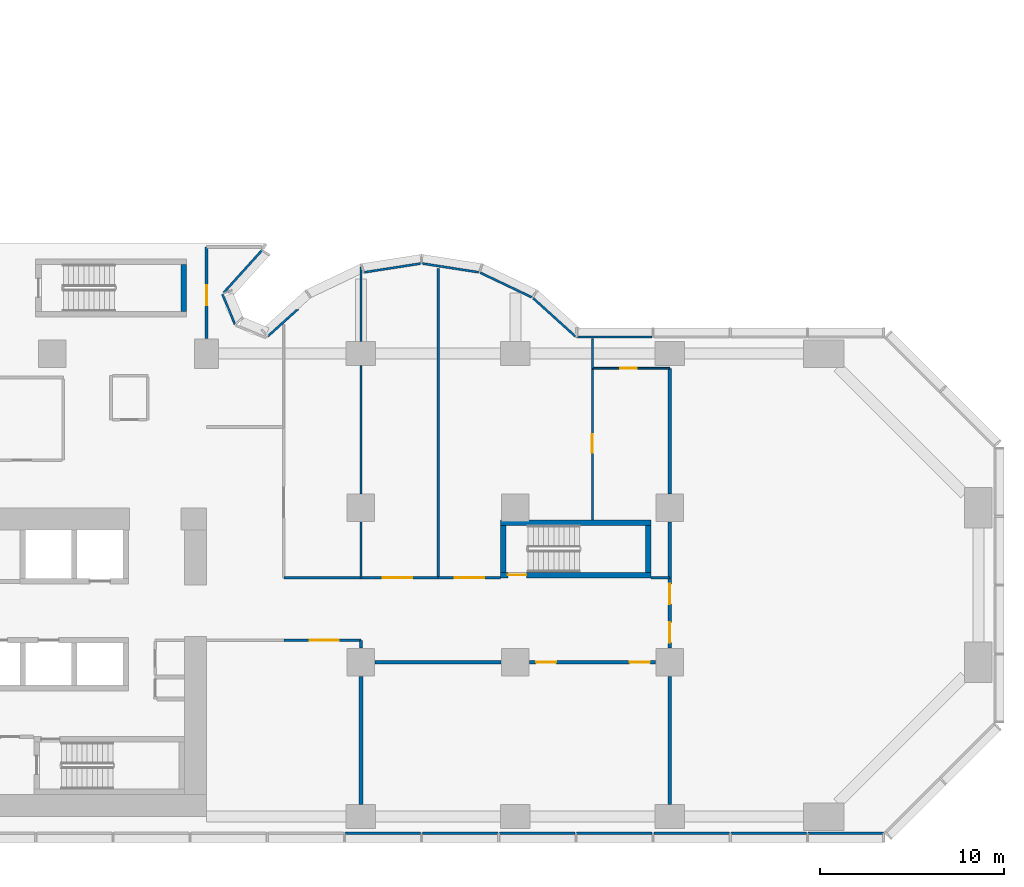
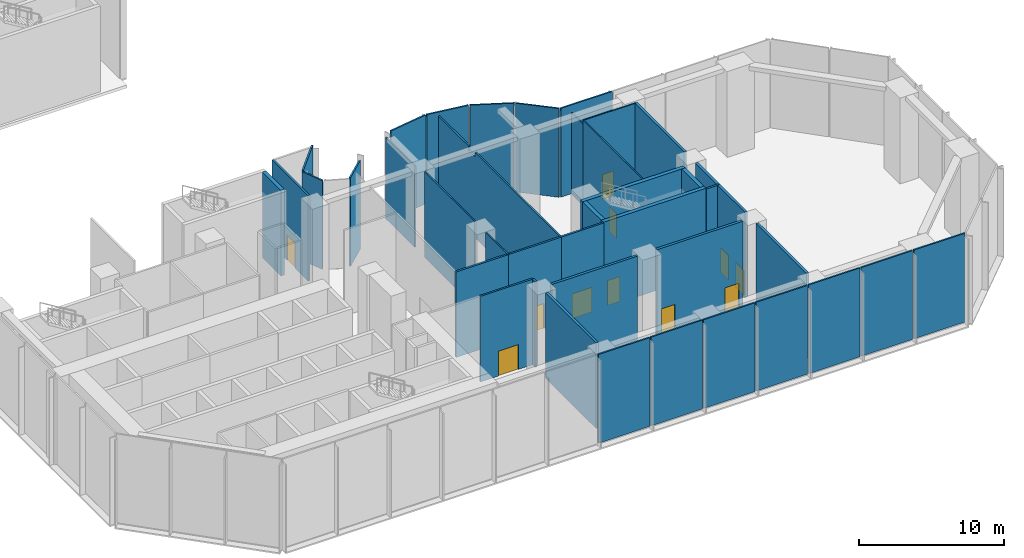
# One storey, part 9 of 16: 41 walls, 11 doors, 11 openings.
"""IFC4 building model written with IfcOpenShell, lengths in metres."""

from ifc_helpers import new_model, si_unit, direction, frame, frame_2d, origin, place, context, subcontext, project, spatial, polyline, rectangle, outline, extrude, material, layer, layer_set, type_object, element, fill, save


model = new_model("IFC4")

# Units and contexts
model_context = context("Model", 3, precision=1e-05, world=origin(), true_north=direction((0.0, 1.0)))
body_context = subcontext(model_context, "Body", "Model", "MODEL_VIEW")
ifc_project = project(units=[si_unit("LENGTHUNIT", "METRE"), si_unit("AREAUNIT", "SQUARE_METRE"), si_unit("VOLUMEUNIT", "CUBIC_METRE"), si_unit("PLANEANGLEUNIT", "RADIAN"), si_unit("MASSUNIT", "GRAM", prefix="KILO")], contexts=[model_context])

# Site, building, storey
site_placement = place(None, origin())
site = spatial("IfcSite", under=ifc_project, at=site_placement, CompositionType="ELEMENT")
building_placement = place(site_placement, origin())
building = spatial("IfcBuilding", under=site, at=building_placement, Name="Brevane Broadcast Tower", CompositionType="ELEMENT")
storey_placement = place(building_placement, frame((0.0, 0.0, 12.5)))
storey = spatial("IfcBuildingStorey", under=building, at=storey_placement, Name="L02", CompositionType="ELEMENT", Elevation=12.5)

# Wall
ifc_material_1 = material(Name="Concrete C80/95", Category="concrete")
ifc_layer_1 = layer(ifc_material_1, 0.300048828125)
ifc_layer_set_1 = layer_set([ifc_layer_1], Name="Core wall 300 mm C80/95")
wall_type_1 = type_object("IfcWallType", Name="Core wall 300 mm C80/95", PredefinedType="SHEAR", material=ifc_layer_set_1)
wall_1_placement = place(storey_placement, frame((23.949951171875, 27.5, 0.0), z_axis=(0.0, 0.0, 1.0), x_axis=(0.0, 1.0, 0.0)))
element("IfcWall", 1, at=wall_1_placement, inside=storey, type_object=wall_type_1, Name="L02 stair wall ST-3-E", PredefinedType="SHEAR", context=body_context, shape_type="SweptSolid", body=[
    extrude(rectangle(XDim=2.550048828125, YDim=0.300048828125, at=frame_2d((1.27490234375, 0.0))), origin(), (0.0, 0.0, 1.0), 7.25),
])

# Wall, opening, door
wall_2_placement = place(storey_placement, frame((49.39990234375, 13.14990234375, 0.0), z_axis=(0.0, 0.0, 1.0), x_axis=(-1.0, 0.0, 0.0)))
wall_2 = element("IfcWall", 2, at=wall_2_placement, inside=storey, type_object=wall_type_1, Name="L02 stair wall ST-4-S", PredefinedType="SHEAR", context=body_context, shape_type="SweptSolid", body=[
    extrude(rectangle(XDim=8.199951171875, YDim=0.300048828125, at=frame_2d((4.10009765625, 0.0))), origin(), (0.0, 0.0, 1.0), 7.25),
])
opening_1_placement = place(wall_2_placement, frame((6.800048828125, 0.0, 0.0)))
opening_1 = element("IfcOpeningElement", 3, at=opening_1_placement, cuts=wall_2, Name="Opening L02-K16", PredefinedType="OPENING", context=body_context, shape_type="SweptSolid", body=[
    extrude(rectangle(XDim=1.0, YDim=2.10009765625, at=frame_2d((0.5, 1.050048828125))), frame((0.0, 0.159912109375, 0.0), z_axis=(0.0, -1.0, 0.0), x_axis=(1.0, 0.0, 0.0)), (0.0, 0.0, 1.0), 0.320068359375),
])
ifc_material_2 = material(Name="Steel", Category="steel")
door_type_1 = type_object("IfcDoorType", Name="Stair door 1000 x 2100", OperationType="SINGLE_SWING_LEFT", PredefinedType="DOOR", material=ifc_material_2)
door_1_placement = place(opening_1_placement, origin())
door_1 = element("IfcDoor", 4, at=door_1_placement, inside=storey, type_object=door_type_1, Name="Door L02-K16", OperationType="SINGLE_SWING_RIGHT", OverallHeight=2.10009765625, OverallWidth=1.0, PredefinedType="DOOR", context=body_context, shape_type="SweptSolid", body=[
    extrude(rectangle(XDim=1.0, YDim=2.10009765625, at=frame_2d((0.5, 1.050048828125))), frame((0.0, 0.02490234375, 0.0), z_axis=(0.0, -1.0, 0.0), x_axis=(1.0, 0.0, 0.0)), (0.0, 0.0, 1.0), 0.050048828125),
])
fill(opening_1, door_1)

# Walls
wall_3_placement = place(storey_placement, frame((41.199951171875, 16.0, 0.0), z_axis=(0.0, 0.0, 1.0), x_axis=(1.0, 0.0, 0.0)))
element("IfcWall", 5, at=wall_3_placement, inside=storey, type_object=wall_type_1, Name="L02 stair wall ST-4-N", PredefinedType="SHEAR", context=body_context, shape_type="SweptSolid", body=[
    extrude(rectangle(XDim=8.199951171875, YDim=0.300048828125, at=frame_2d((4.10009765625, 0.0))), origin(), (0.0, 0.0, 1.0), 7.25),
])
for number, where, z_axis, x_axis, name in (
    (6, (41.35009765625, 13.300048828125, 0.0), (0.0, 0.0, 1.0), (0.0, 1.0, 0.0), "L02 stair wall ST-4-W"),
    (7, (49.25, 13.300048828125, 0.0), (0.0, 0.0, 1.0), (0.0, 1.0, 0.0), "L02 stair wall ST-4-E"),
):
    element("IfcWall", number, at=place(storey_placement, frame(where, z_axis=z_axis, x_axis=x_axis)), inside=storey, type_object=wall_type_1, Name=name, PredefinedType="SHEAR", context=body_context, shape_type="SweptSolid", body=[
        extrude(rectangle(XDim=2.550048828125, YDim=0.300048828125, at=frame_2d((1.27490234375, 0.0))), origin(), (0.0, 0.0, 1.0), 7.25),
    ])
ifc_material_3 = material(Name="Gypsum board partition")
ifc_layer_2 = layer(ifc_material_3, 0.10009765625)
ifc_layer_set_2 = layer_set([ifc_layer_2], Name="PARTITION 100 STUD")
wall_type_2 = type_object("IfcWallType", Name="PARTITION 100 STUD", PredefinedType="PARTITIONING", material=ifc_layer_set_2)
wall_4_placement = place(storey_placement, frame((33.60009765625, 29.903564453125, 0.0), z_axis=(0.0, 0.0, 1.0), x_axis=(0.0, -1.0, 0.0)))
element("IfcWall", 8, at=wall_4_placement, inside=storey, type_object=wall_type_2, Name="Partition P2-021", PredefinedType="PARTITIONING", context=body_context, shape_type="SweptSolid", body=[
    extrude(rectangle(XDim=4.033447265625, YDim=0.10009765625, at=frame_2d((2.0166015625, 0.0))), origin(), (0.0, 0.0, 1.0), 6.8798828125),
])
wall_5_placement = place(storey_placement, frame((33.60009765625, 24.530029296875, 0.0), z_axis=(0.0, 0.0, 1.0), x_axis=(0.0, -1.0, 0.0)))
element("IfcWall", 9, at=wall_5_placement, inside=storey, type_object=wall_type_2, Name="Partition P2-022", PredefinedType="PARTITIONING", context=body_context, shape_type="SweptSolid", body=[
    extrude(rectangle(XDim=6.9599609375, YDim=0.10009765625, at=frame_2d((3.47998046875, 0.0))), origin(), (0.0, 0.0, 1.0), 7.22998046875),
])
wall_6_placement = place(storey_placement, frame((33.60009765625, 16.030029296875, 0.0), z_axis=(0.0, 0.0, 1.0), x_axis=(0.0, -1.0, 0.0)))
element("IfcWall", 10, at=wall_6_placement, inside=storey, type_object=wall_type_2, Name="Partition P2-023", PredefinedType="PARTITIONING", context=body_context, shape_type="SweptSolid", body=[
    extrude(rectangle(XDim=3.030029296875, YDim=0.10009765625, at=frame_2d((1.51513671875, 0.0))), origin(), (0.0, 0.0, 1.0), 7.22998046875),
])

# Wall, opening, door
wall_7_placement = place(storey_placement, frame((46.199951171875, 24.39990234375, 0.0), z_axis=(0.0, 0.0, 1.0), x_axis=(0.0, -1.0, 0.0)))
wall_7 = element("IfcWall", 11, at=wall_7_placement, inside=storey, type_object=wall_type_2, Name="Partition P2-025", PredefinedType="PARTITIONING", context=body_context, shape_type="SweptSolid", body=[
    extrude(rectangle(XDim=8.25, YDim=0.10009765625, at=frame_2d((4.125, 0.0))), origin(), (0.0, 0.0, 1.0), 7.22998046875),
])
opening_2_placement = place(wall_7_placement, frame((3.60009765625, 0.0, 0.0)))
opening_2 = element("IfcOpeningElement", 12, at=opening_2_placement, cuts=wall_7, Name="Opening D03-008", PredefinedType="OPENING", context=body_context, shape_type="SweptSolid", body=[
    extrude(rectangle(XDim=1.0, YDim=2.10009765625, at=frame_2d((0.5, 1.050048828125))), frame((0.0, 0.06005859375, 0.0), z_axis=(0.0, -1.0, 0.0), x_axis=(1.0, 0.0, 0.0)), (0.0, 0.0, 1.0), 0.1201171875),
])
ifc_material_4 = material(Name="Timber door leaf", Category="wood")
door_type_2 = type_object("IfcDoorType", Name="DOOR SINGLE 1000 INTERNAL", OperationType="SINGLE_SWING_LEFT", PredefinedType="DOOR", material=ifc_material_4)
door_2_placement = place(opening_2_placement, origin())
door_2 = element("IfcDoor", 13, at=door_2_placement, inside=storey, type_object=door_type_2, Name="Door D03-008", OperationType="SINGLE_SWING_LEFT", OverallHeight=2.10009765625, OverallWidth=1.0, PredefinedType="DOOR", context=body_context, shape_type="SweptSolid", body=[
    extrude(rectangle(XDim=1.0, YDim=2.10009765625, at=frame_2d((0.5, 1.050048828125))), frame((0.0, 0.02490234375, 0.0), z_axis=(0.0, -1.0, 0.0), x_axis=(1.0, 0.0, 0.0)), (0.0, 0.0, 1.0), 0.050048828125),
])
fill(opening_2, door_2)

# Wall
wall_8_placement = place(storey_placement, frame((46.199951171875, 25.998046875, 0.0), z_axis=(0.0, 0.0, 1.0), x_axis=(0.0, -1.0, 0.0)))
element("IfcWall", 14, at=wall_8_placement, inside=storey, type_object=wall_type_2, Name="Partition P2-026", PredefinedType="PARTITIONING", context=body_context, shape_type="SweptSolid", body=[
    extrude(rectangle(XDim=1.59814453125, YDim=0.10009765625, at=frame_2d((0.799072265625, 0.0))), origin(), (0.0, 0.0, 1.0), 6.8798828125),
])

# Wall, opening, door
wall_9_placement = place(storey_placement, frame((46.199951171875, 24.39990234375, 0.0), z_axis=(0.0, 0.0, 1.0), x_axis=(1.0, 0.0, 0.0)))
wall_9 = element("IfcWall", 15, at=wall_9_placement, inside=storey, type_object=wall_type_2, Name="Partition P2-027", PredefinedType="PARTITIONING", context=body_context, shape_type="SweptSolid", body=[
    extrude(rectangle(XDim=4.199951171875, YDim=0.10009765625, at=frame_2d((2.10009765625, 0.0))), origin(), (0.0, 0.0, 1.0), 7.22998046875),
])
opening_3_placement = place(wall_9_placement, frame((1.5, 0.0, 0.0)))
opening_3 = element("IfcOpeningElement", 16, at=opening_3_placement, cuts=wall_9, Name="Opening D03-009", PredefinedType="OPENING", context=body_context, shape_type="SweptSolid", body=[
    extrude(rectangle(XDim=0.89990234375, YDim=2.10009765625, at=frame_2d((0.449951171875, 1.050048828125))), frame((0.0, 0.06005859375, 0.0), z_axis=(0.0, -1.0, 0.0), x_axis=(1.0, 0.0, 0.0)), (0.0, 0.0, 1.0), 0.1201171875),
])
door_type_3 = type_object("IfcDoorType", Name="DOOR SINGLE 900 INTERNAL", OperationType="SINGLE_SWING_LEFT", PredefinedType="DOOR", material=ifc_material_4)
door_3_placement = place(opening_3_placement, origin())
door_3 = element("IfcDoor", 17, at=door_3_placement, inside=storey, type_object=door_type_3, Name="Door D03-009", OperationType="SINGLE_SWING_LEFT", OverallHeight=2.10009765625, OverallWidth=0.89990234375, PredefinedType="DOOR", context=body_context, shape_type="SweptSolid", body=[
    extrude(rectangle(XDim=0.89990234375, YDim=2.10009765625, at=frame_2d((0.449951171875, 1.050048828125))), frame((0.0, 0.02490234375, 0.0), z_axis=(0.0, -1.0, 0.0), x_axis=(1.0, 0.0, 0.0)), (0.0, 0.0, 1.0), 0.050048828125),
])
fill(opening_3, door_3)

# Wall
ifc_layer_3 = layer(ifc_material_3, 0.125)
ifc_layer_set_3 = layer_set([ifc_layer_3], Name="PARTITION 125 ACOUSTIC")
wall_type_3 = type_object("IfcWallType", Name="PARTITION 125 ACOUSTIC", PredefinedType="PARTITIONING", material=ifc_layer_set_3)
wall_10_placement = place(storey_placement, frame((37.800048828125, 29.84423828125, 0.0), z_axis=(0.0, 0.0, 1.0), x_axis=(0.0, -1.0, 0.0)))
element("IfcWall", 18, at=wall_10_placement, inside=storey, type_object=wall_type_3, Name="Partition P2-024", PredefinedType="PARTITIONING", context=body_context, shape_type="SweptSolid", body=[
    extrude(outline(polyline([(0.0, 0.0), (16.84423828125, 0.0), (16.84423828125, 7.22998046875), (5.09423828125, 7.22998046875), (5.09228515625, 6.8798828125), (4.1962890625, 6.8798828125), (4.1943359375, 7.22998046875), (0.0, 7.22998046875), (0.0, 0.0)])), frame((0.0, 0.0625, 0.0), z_axis=(0.0, -1.0, 0.0), x_axis=(1.0, 0.0, 0.0)), (0.0, 0.0, 1.0), 0.125),
])

# Wall, opening, door
ifc_layer_4 = layer(ifc_material_3, 0.14990234375)
ifc_layer_set_4 = layer_set([ifc_layer_4], Name="PARTITION 150 EI 60")
wall_type_4 = type_object("IfcWallType", Name="PARTITION 150 EI 60", PredefinedType="PARTITIONING", material=ifc_layer_set_4)
wall_11_placement = place(storey_placement, frame((25.199951171875, 31.0, 0.0), z_axis=(0.0, 0.0, 1.0), x_axis=(0.0, -1.0, 0.0)))
wall_11 = element("IfcWall", 19, at=wall_11_placement, inside=storey, type_object=wall_type_4, Name="Partition P2-005", PredefinedType="PARTITIONING", context=body_context, shape_type="SweptSolid", body=[
    extrude(rectangle(XDim=4.97998046875, YDim=0.14990234375, at=frame_2d((2.489990234375, 0.0))), origin(), (0.0, 0.0, 1.0), 7.22998046875),
])
opening_4_placement = place(wall_11_placement, frame((2.080078125, 0.0, 0.0)))
opening_4 = element("IfcOpeningElement", 20, at=opening_4_placement, cuts=wall_11, Name="Opening D03-001", PredefinedType="OPENING", context=body_context, shape_type="SweptSolid", body=[
    extrude(rectangle(XDim=1.10009765625, YDim=2.10009765625, at=frame_2d((0.550048828125, 1.050048828125))), frame((0.0, 0.0849609375, 0.0), z_axis=(0.0, -1.0, 0.0), x_axis=(1.0, 0.0, 0.0)), (0.0, 0.0, 1.0), 0.169921875),
])
ifc_material_5 = material(Name="Fire-rated timber door leaf", Category="wood")
door_type_4 = type_object("IfcDoorType", Name="DOOR SINGLE 1100 FD30S", OperationType="SINGLE_SWING_LEFT", PredefinedType="DOOR", material=ifc_material_5)
door_4_placement = place(opening_4_placement, origin())
door_4 = element("IfcDoor", 21, at=door_4_placement, inside=storey, type_object=door_type_4, Name="Door D03-001", OperationType="SINGLE_SWING_RIGHT", OverallHeight=2.10009765625, OverallWidth=1.10009765625, PredefinedType="DOOR", context=body_context, shape_type="SweptSolid", body=[
    extrude(rectangle(XDim=1.10009765625, YDim=2.10009765625, at=frame_2d((0.550048828125, 1.050048828125))), frame((0.0, 0.02490234375, 0.0), z_axis=(0.0, -1.0, 0.0), x_axis=(1.0, 0.0, 0.0)), (0.0, 0.0, 1.0), 0.050048828125),
])
fill(opening_4, door_4)

wall_12_placement = place(storey_placement, frame((33.60009765625, 9.60009765625, 0.0), z_axis=(0.0, 0.0, 1.0), x_axis=(-1.0, 0.0, 0.0)))
wall_12 = element("IfcWall", 22, at=wall_12_placement, inside=storey, type_object=wall_type_4, Name="Partition P2-011", PredefinedType="PARTITIONING", context=body_context, shape_type="SweptSolid", body=[
    extrude(rectangle(XDim=4.2001953125, YDim=0.14990234375, at=frame_2d((2.10009765625, 0.0))), origin(), (0.0, 0.0, 1.0), 7.22998046875),
])
opening_5_placement = place(wall_12_placement, frame((1.199951171875, 0.0, 0.0)))
opening_5 = element("IfcOpeningElement", 23, at=opening_5_placement, cuts=wall_12, Name="Opening D03-004", PredefinedType="OPENING", context=body_context, shape_type="SweptSolid", body=[
    extrude(rectangle(XDim=1.60009765625, YDim=2.10009765625, at=frame_2d((0.800048828125, 1.050048828125))), frame((0.0, 0.0849609375, 0.0), z_axis=(0.0, -1.0, 0.0), x_axis=(1.0, 0.0, 0.0)), (0.0, 0.0, 1.0), 0.169921875),
])
door_type_5 = type_object("IfcDoorType", Name="DOOR DOUBLE 1600 FD30S", OperationType="DOUBLE_DOOR_SINGLE_SWING", PredefinedType="DOOR", material=ifc_material_5)
door_5_placement = place(opening_5_placement, origin())
door_5 = element("IfcDoor", 24, at=door_5_placement, inside=storey, type_object=door_type_5, Name="Door D03-004", OperationType="DOUBLE_DOOR_SINGLE_SWING", OverallHeight=2.10009765625, OverallWidth=1.60009765625, PredefinedType="DOOR", context=body_context, shape_type="SweptSolid", body=[
    extrude(rectangle(XDim=1.60009765625, YDim=2.10009765625, at=frame_2d((0.800048828125, 1.050048828125))), frame((0.0, 0.02490234375, 0.0), z_axis=(0.0, -1.0, 0.0), x_axis=(1.0, 0.0, 0.0)), (0.0, 0.0, 1.0), 0.050048828125),
])
fill(opening_5, door_5)

# Walls
wall_13_placement = place(storey_placement, frame((33.60009765625, 9.169921875, 0.0), z_axis=(0.0, 0.0, 1.0), x_axis=(0.0, 1.0, 0.0)))
element("IfcWall", 25, at=wall_13_placement, inside=storey, type_object=wall_type_4, Name="Partition P2-012", PredefinedType="PARTITIONING", context=body_context, shape_type="SweptSolid", body=[
    extrude(rectangle(XDim=0.41015625, YDim=0.14990234375, at=frame_2d((0.205078125, 0.0))), origin(), (0.0, 0.0, 1.0), 7.22998046875),
])
wall_14_placement = place(storey_placement, frame((29.39990234375, 13.0, 0.0), z_axis=(0.0, 0.0, 1.0), x_axis=(1.0, 0.0, 0.0)))
element("IfcWall", 26, at=wall_14_placement, inside=storey, type_object=wall_type_4, Name="Partition P2-013", PredefinedType="PARTITIONING", context=body_context, shape_type="SweptSolid", body=[
    extrude(rectangle(XDim=4.2001953125, YDim=0.14990234375, at=frame_2d((2.10009765625, 0.0))), origin(), (0.0, 0.0, 1.0), 7.22998046875),
])

# Wall, opening, door
wall_15_placement = place(storey_placement, frame((33.60009765625, 13.0, 0.0), z_axis=(0.0, 0.0, 1.0), x_axis=(1.0, 0.0, 0.0)))
wall_15 = element("IfcWall", 27, at=wall_15_placement, inside=storey, type_object=wall_type_4, Name="Partition P2-014", PredefinedType="PARTITIONING", context=body_context, shape_type="SweptSolid", body=[
    extrude(rectangle(XDim=4.199951171875, YDim=0.14990234375, at=frame_2d((2.10009765625, 0.0))), origin(), (0.0, 0.0, 1.0), 7.22998046875),
])
opening_6_placement = place(wall_15_placement, frame((1.199951171875, 0.0, 0.0)))
opening_6 = element("IfcOpeningElement", 28, at=opening_6_placement, cuts=wall_15, Name="Opening D03-006", PredefinedType="OPENING", context=body_context, shape_type="SweptSolid", body=[
    extrude(rectangle(XDim=1.60009765625, YDim=2.10009765625, at=frame_2d((0.800048828125, 1.050048828125))), frame((0.0, 0.0849609375, 0.0), z_axis=(0.0, -1.0, 0.0), x_axis=(1.0, 0.0, 0.0)), (0.0, 0.0, 1.0), 0.169921875),
])
door_6_placement = place(opening_6_placement, origin())
door_6 = element("IfcDoor", 29, at=door_6_placement, inside=storey, type_object=door_type_5, Name="Door D03-006", OperationType="DOUBLE_DOOR_SINGLE_SWING", OverallHeight=2.10009765625, OverallWidth=1.60009765625, PredefinedType="DOOR", context=body_context, shape_type="SweptSolid", body=[
    extrude(rectangle(XDim=1.60009765625, YDim=2.10009765625, at=frame_2d((0.800048828125, 1.050048828125))), frame((0.0, 0.02490234375, 0.0), z_axis=(0.0, -1.0, 0.0), x_axis=(1.0, 0.0, 0.0)), (0.0, 0.0, 1.0), 0.050048828125),
])
fill(opening_6, door_6)

wall_16_placement = place(storey_placement, frame((37.800048828125, 13.0, 0.0), z_axis=(0.0, 0.0, 1.0), x_axis=(1.0, 0.0, 0.0)))
wall_16 = element("IfcWall", 30, at=wall_16_placement, inside=storey, type_object=wall_type_4, Name="Partition P2-015", PredefinedType="PARTITIONING", context=body_context, shape_type="SweptSolid", body=[
    extrude(rectangle(XDim=3.39990234375, YDim=0.14990234375, at=frame_2d((1.699951171875, 0.0))), origin(), (0.0, 0.0, 1.0), 7.22998046875),
])
opening_7_placement = place(wall_16_placement, frame((0.89990234375, 0.0, 0.0)))
opening_7 = element("IfcOpeningElement", 31, at=opening_7_placement, cuts=wall_16, Name="Opening D03-007", PredefinedType="OPENING", context=body_context, shape_type="SweptSolid", body=[
    extrude(rectangle(XDim=1.60009765625, YDim=2.10009765625, at=frame_2d((0.800048828125, 1.050048828125))), frame((0.0, 0.0849609375, 0.0), z_axis=(0.0, -1.0, 0.0), x_axis=(1.0, 0.0, 0.0)), (0.0, 0.0, 1.0), 0.169921875),
])
door_7_placement = place(opening_7_placement, origin())
door_7 = element("IfcDoor", 32, at=door_7_placement, inside=storey, type_object=door_type_5, Name="Door D03-007", OperationType="DOUBLE_DOOR_SINGLE_SWING", OverallHeight=2.10009765625, OverallWidth=1.60009765625, PredefinedType="DOOR", context=body_context, shape_type="SweptSolid", body=[
    extrude(rectangle(XDim=1.60009765625, YDim=2.10009765625, at=frame_2d((0.800048828125, 1.050048828125))), frame((0.0, 0.02490234375, 0.0), z_axis=(0.0, -1.0, 0.0), x_axis=(1.0, 0.0, 0.0)), (0.0, 0.0, 1.0), 0.050048828125),
])
fill(opening_7, door_7)

# Wall
wall_17_placement = place(storey_placement, frame((49.39990234375, 13.0, 0.0), z_axis=(0.0, 0.0, 1.0), x_axis=(1.0, 0.0, 0.0)))
element("IfcWall", 33, at=wall_17_placement, inside=storey, type_object=wall_type_4, Name="Partition P2-016", PredefinedType="PARTITIONING", context=body_context, shape_type="SweptSolid", body=[
    extrude(rectangle(XDim=1.0, YDim=0.14990234375, at=frame_2d((0.5, 0.0))), origin(), (0.0, 0.0, 1.0), 7.22998046875),
])

# Wall, openings, doors
ifc_layer_5 = layer(ifc_material_3, 0.199951171875)
ifc_layer_set_5 = layer_set([ifc_layer_5], Name="PARTITION 200 EI 120")
wall_type_5 = type_object("IfcWallType", Name="PARTITION 200 EI 120", PredefinedType="PARTITIONING", material=ifc_layer_set_5)
wall_18_placement = place(storey_placement, frame((50.39990234375, 13.0, 0.0), z_axis=(0.0, 0.0, 1.0), x_axis=(0.0, -1.0, 0.0)))
wall_18 = element("IfcWall", 34, at=wall_18_placement, inside=storey, type_object=wall_type_5, Name="Partition P2-008", PredefinedType="PARTITIONING", context=body_context, shape_type="SweptSolid", body=[
    extrude(rectangle(XDim=3.830078125, YDim=0.199951171875, at=frame_2d((1.9150390625, 0.0))), origin(), (0.0, 0.0, 1.0), 7.22998046875),
])
opening_8_placement = place(wall_18_placement, frame((2.429931640625, 0.0, 0.0)))
opening_8 = element("IfcOpeningElement", 35, at=opening_8_placement, cuts=wall_18, Name="Opening D03-002", PredefinedType="OPENING", context=body_context, shape_type="SweptSolid", body=[
    extrude(rectangle(XDim=1.10009765625, YDim=2.10009765625, at=frame_2d((0.550048828125, 1.050048828125))), frame((0.0, 0.10986328125, 0.0), z_axis=(0.0, -1.0, 0.0), x_axis=(1.0, 0.0, 0.0)), (0.0, 0.0, 1.0), 0.219970703125),
])
opening_9_placement = place(wall_18_placement, frame((0.330078125, 0.0, 0.0)))
opening_9 = element("IfcOpeningElement", 36, at=opening_9_placement, cuts=wall_18, Name="Opening D03-017", PredefinedType="OPENING", context=body_context, shape_type="SweptSolid", body=[
    extrude(rectangle(XDim=1.10009765625, YDim=2.10009765625, at=frame_2d((0.550048828125, 1.050048828125))), frame((0.0, 0.10986328125, 0.0), z_axis=(0.0, -1.0, 0.0), x_axis=(1.0, 0.0, 0.0)), (0.0, 0.0, 1.0), 0.219970703125),
])
door_8_placement = place(opening_8_placement, origin())
door_8 = element("IfcDoor", 37, at=door_8_placement, inside=storey, type_object=door_type_4, Name="Door D03-002", OperationType="SINGLE_SWING_RIGHT", OverallHeight=2.10009765625, OverallWidth=1.10009765625, PredefinedType="DOOR", context=body_context, shape_type="SweptSolid", body=[
    extrude(rectangle(XDim=1.10009765625, YDim=2.10009765625, at=frame_2d((0.550048828125, 1.050048828125))), frame((0.0, 0.02490234375, 0.0), z_axis=(0.0, -1.0, 0.0), x_axis=(1.0, 0.0, 0.0)), (0.0, 0.0, 1.0), 0.050048828125),
])
fill(opening_8, door_8)
door_9_placement = place(opening_9_placement, origin())
door_9 = element("IfcDoor", 38, at=door_9_placement, inside=storey, type_object=door_type_4, Name="Door D03-017", OperationType="SINGLE_SWING_RIGHT", OverallHeight=2.10009765625, OverallWidth=1.10009765625, PredefinedType="DOOR", context=body_context, shape_type="SweptSolid", body=[
    extrude(rectangle(XDim=1.10009765625, YDim=2.10009765625, at=frame_2d((0.550048828125, 1.050048828125))), frame((0.0, 0.02490234375, 0.0), z_axis=(0.0, -1.0, 0.0), x_axis=(1.0, 0.0, 0.0)), (0.0, 0.0, 1.0), 0.050048828125),
])
fill(opening_9, door_9)

wall_19_placement = place(storey_placement, frame((49.6298828125, 8.39990234375, 0.0), z_axis=(0.0, 0.0, 1.0), x_axis=(-1.0, 0.0, 0.0)))
wall_19 = element("IfcWall", 39, at=wall_19_placement, inside=storey, type_object=wall_type_5, Name="Partition P2-009", PredefinedType="PARTITIONING", context=body_context, shape_type="SweptSolid", body=[
    extrude(rectangle(XDim=6.85986328125, YDim=0.199951171875, at=frame_2d((3.429931640625, 0.0))), origin(), (0.0, 0.0, 1.0), 7.22998046875),
])
opening_10_placement = place(wall_19_placement, frame((0.300048828125, 0.0, 0.0)))
opening_10 = element("IfcOpeningElement", 40, at=opening_10_placement, cuts=wall_19, Name="Opening D03-003", PredefinedType="OPENING", context=body_context, shape_type="SweptSolid", body=[
    extrude(rectangle(XDim=1.10009765625, YDim=2.10009765625, at=frame_2d((0.550048828125, 1.050048828125))), frame((0.0, 0.10986328125, 0.0), z_axis=(0.0, -1.0, 0.0), x_axis=(1.0, 0.0, 0.0)), (0.0, 0.0, 1.0), 0.219970703125),
])
opening_11_placement = place(wall_19_placement, frame((5.39990234375, 0.0, 0.0)))
opening_11 = element("IfcOpeningElement", 41, at=opening_11_placement, cuts=wall_19, Name="Opening D03-018", PredefinedType="OPENING", context=body_context, shape_type="SweptSolid", body=[
    extrude(rectangle(XDim=1.10009765625, YDim=2.10009765625, at=frame_2d((0.550048828125, 1.050048828125))), frame((0.0, 0.10986328125, 0.0), z_axis=(0.0, -1.0, 0.0), x_axis=(1.0, 0.0, 0.0)), (0.0, 0.0, 1.0), 0.219970703125),
])
door_10_placement = place(opening_10_placement, origin())
door_10 = element("IfcDoor", 42, at=door_10_placement, inside=storey, type_object=door_type_4, Name="Door D03-003", OperationType="SINGLE_SWING_LEFT", OverallHeight=2.10009765625, OverallWidth=1.10009765625, PredefinedType="DOOR", context=body_context, shape_type="SweptSolid", body=[
    extrude(rectangle(XDim=1.10009765625, YDim=2.10009765625, at=frame_2d((0.550048828125, 1.050048828125))), frame((0.0, 0.02490234375, 0.0), z_axis=(0.0, -1.0, 0.0), x_axis=(1.0, 0.0, 0.0)), (0.0, 0.0, 1.0), 0.050048828125),
])
fill(opening_10, door_10)
door_11_placement = place(opening_11_placement, origin())
door_11 = element("IfcDoor", 43, at=door_11_placement, inside=storey, type_object=door_type_4, Name="Door D03-018", OperationType="SINGLE_SWING_LEFT", OverallHeight=2.10009765625, OverallWidth=1.10009765625, PredefinedType="DOOR", context=body_context, shape_type="SweptSolid", body=[
    extrude(rectangle(XDim=1.10009765625, YDim=2.10009765625, at=frame_2d((0.550048828125, 1.050048828125))), frame((0.0, 0.02490234375, 0.0), z_axis=(0.0, -1.0, 0.0), x_axis=(1.0, 0.0, 0.0)), (0.0, 0.0, 1.0), 0.050048828125),
])
fill(opening_11, door_11)

# Walls
wall_20_placement = place(storey_placement, frame((41.22998046875, 8.39990234375, 0.0), z_axis=(0.0, 0.0, 1.0), x_axis=(-1.0, 0.0, 0.0)))
element("IfcWall", 44, at=wall_20_placement, inside=storey, type_object=wall_type_5, Name="Partition P2-010", PredefinedType="PARTITIONING", context=body_context, shape_type="SweptSolid", body=[
    extrude(rectangle(XDim=6.85986328125, YDim=0.199951171875, at=frame_2d((3.429931640625, 0.0))), origin(), (0.0, 0.0, 1.0), 7.22998046875),
])
wall_21_placement = place(storey_placement, frame((50.39990234375, 0.669921875, 0.0), z_axis=(0.0, 0.0, 1.0), x_axis=(0.0, 1.0, 0.0)))
element("IfcWall", 45, at=wall_21_placement, inside=storey, type_object=wall_type_5, Name="Partition P2-017", PredefinedType="PARTITIONING", context=body_context, shape_type="SweptSolid", body=[
    extrude(rectangle(XDim=6.9599609375, YDim=0.199951171875, at=frame_2d((3.47998046875, 0.0))), origin(), (0.0, 0.0, 1.0), 7.22998046875),
])
wall_22_placement = place(storey_placement, frame((50.39990234375, 13.0, 0.0), z_axis=(0.0, 0.0, 1.0), x_axis=(0.0, 1.0, 0.0)))
element("IfcWall", 46, at=wall_22_placement, inside=storey, type_object=wall_type_5, Name="Partition P2-018", PredefinedType="PARTITIONING", context=body_context, shape_type="SweptSolid", body=[
    extrude(rectangle(XDim=3.030029296875, YDim=0.199951171875, at=frame_2d((1.51513671875, 0.0))), origin(), (0.0, 0.0, 1.0), 7.22998046875),
])
wall_23_placement = place(storey_placement, frame((50.39990234375, 17.570068359375, 0.0), z_axis=(0.0, 0.0, 1.0), x_axis=(0.0, 1.0, 0.0)))
element("IfcWall", 47, at=wall_23_placement, inside=storey, type_object=wall_type_5, Name="Partition P2-019", PredefinedType="PARTITIONING", context=body_context, shape_type="SweptSolid", body=[
    extrude(rectangle(XDim=6.829833984375, YDim=0.199951171875, at=frame_2d((3.4150390625, 0.0))), origin(), (0.0, 0.0, 1.0), 7.22998046875),
])
wall_24_placement = place(storey_placement, frame((33.60009765625, 0.669921875, 0.0), z_axis=(0.0, 0.0, 1.0), x_axis=(0.0, 1.0, 0.0)))
element("IfcWall", 48, at=wall_24_placement, inside=storey, type_object=wall_type_5, Name="Partition P2-020", PredefinedType="PARTITIONING", context=body_context, shape_type="SweptSolid", body=[
    extrude(rectangle(XDim=6.9599609375, YDim=0.199951171875, at=frame_2d((3.47998046875, 0.0))), origin(), (0.0, 0.0, 1.0), 7.22998046875),
])
ifc_material_6 = material(Name="Precast concrete C40/50", Category="concrete")
ifc_layer_6 = layer(ifc_material_6, 0.1201171875)
ifc_layer_set_6 = layer_set([ifc_layer_6], Name="Podium precast cladding wall 120 C40/50")
wall_type_6 = type_object("IfcWallType", Name="Podium precast cladding wall 120 C40/50", PredefinedType="SOLIDWALL", material=ifc_layer_set_6)
wall_25_placement = place(storey_placement, origin())
element("IfcWall", 49, at=wall_25_placement, inside=storey, type_object=wall_type_6, Name="Podium precast cladding wall", PredefinedType="SOLIDWALL", context=body_context, shape_type="SweptSolid", body=[
    extrude(outline(polyline([(36.85498046875, -0.969970703125), (36.85498046875, -0.85009765625), (32.7451171875, -0.85009765625), (32.7451171875, -0.969970703125), (36.85498046875, -0.969970703125)])), origin(), (0.0, 0.0, 1.0), 7.5),
])
wall_26_placement = place(storey_placement, origin())
element("IfcWall", 50, at=wall_26_placement, inside=storey, type_object=wall_type_6, Name="Podium precast cladding wall", PredefinedType="SOLIDWALL", context=body_context, shape_type="SweptSolid", body=[
    extrude(outline(polyline([(41.054931640625, -0.969970703125), (41.054931640625, -0.85009765625), (36.945068359375, -0.85009765625), (36.945068359375, -0.969970703125), (41.054931640625, -0.969970703125)])), origin(), (0.0, 0.0, 1.0), 7.5),
])
wall_27_placement = place(storey_placement, origin())
element("IfcWall", 51, at=wall_27_placement, inside=storey, type_object=wall_type_6, Name="Podium precast cladding wall", PredefinedType="SOLIDWALL", context=body_context, shape_type="SweptSolid", body=[
    extrude(outline(polyline([(45.2548828125, -0.969970703125), (45.2548828125, -0.85009765625), (41.14501953125, -0.85009765625), (41.14501953125, -0.969970703125), (45.2548828125, -0.969970703125)])), origin(), (0.0, 0.0, 1.0), 7.5),
])
wall_28_placement = place(storey_placement, origin())
element("IfcWall", 52, at=wall_28_placement, inside=storey, type_object=wall_type_6, Name="Podium precast cladding wall", PredefinedType="SOLIDWALL", context=body_context, shape_type="SweptSolid", body=[
    extrude(outline(polyline([(49.455078125, -0.969970703125), (49.455078125, -0.85009765625), (45.344970703125, -0.85009765625), (45.344970703125, -0.969970703125), (49.455078125, -0.969970703125)])), origin(), (0.0, 0.0, 1.0), 7.5),
])
wall_29_placement = place(storey_placement, origin())
element("IfcWall", 53, at=wall_29_placement, inside=storey, type_object=wall_type_6, Name="Podium precast cladding wall", PredefinedType="SOLIDWALL", context=body_context, shape_type="SweptSolid", body=[
    extrude(outline(polyline([(53.655029296875, -0.969970703125), (53.655029296875, -0.85009765625), (49.544921875, -0.85009765625), (49.544921875, -0.969970703125), (53.655029296875, -0.969970703125)])), origin(), (0.0, 0.0, 1.0), 7.5),
])
wall_30_placement = place(storey_placement, origin())
element("IfcWall", 54, at=wall_30_placement, inside=storey, type_object=wall_type_6, Name="Podium precast cladding wall", PredefinedType="SOLIDWALL", context=body_context, shape_type="SweptSolid", body=[
    extrude(outline(polyline([(57.85498046875, -0.969970703125), (57.85498046875, -0.85009765625), (53.7451171875, -0.85009765625), (53.7451171875, -0.969970703125), (57.85498046875, -0.969970703125)])), origin(), (0.0, 0.0, 1.0), 7.5),
])
wall_31_placement = place(storey_placement, origin())
element("IfcWall", 55, at=wall_31_placement, inside=storey, type_object=wall_type_6, Name="Podium precast cladding wall", PredefinedType="SOLIDWALL", context=body_context, shape_type="SweptSolid", body=[
    extrude(outline(polyline([(62.054931640625, -0.969970703125), (62.054931640625, -0.85009765625), (57.945068359375, -0.85009765625), (57.945068359375, -0.969970703125), (62.054931640625, -0.969970703125)])), origin(), (0.0, 0.0, 1.0), 7.5),
])
wall_32_placement = place(storey_placement, origin())
element("IfcWall", 56, at=wall_32_placement, inside=storey, type_object=wall_type_6, Name="Podium precast cladding wall", PredefinedType="SOLIDWALL", context=body_context, shape_type="SweptSolid", body=[
    extrude(outline(polyline([(45.344970703125, 26.169921875), (45.344970703125, 26.050048828125), (49.455078125, 26.050048828125), (49.455078125, 26.169921875), (45.344970703125, 26.169921875)])), origin(), (0.0, 0.0, 1.0), 7.5),
])
wall_33_placement = place(storey_placement, origin())
element("IfcWall", 57, at=wall_33_placement, inside=storey, type_object=wall_type_6, Name="Podium precast cladding wall", PredefinedType="SOLIDWALL", context=body_context, shape_type="SweptSolid", body=[
    extrude(outline(polyline([(45.233154296875, 26.093017578125), (45.3134765625, 26.18212890625), (43.00537109375, 28.267333984375), (42.93798828125, 28.16650390625), (45.233154296875, 26.093017578125)])), origin(), (0.0, 0.0, 1.0), 7.5),
])
wall_34_placement = place(storey_placement, origin())
element("IfcWall", 58, at=wall_34_placement, inside=storey, type_object=wall_type_6, Name="Podium precast cladding wall", PredefinedType="SOLIDWALL", context=body_context, shape_type="SweptSolid", body=[
    extrude(outline(polyline([(42.863037109375, 28.216796875), (42.930419921875, 28.3173828125), (40.114990234375, 29.658203125), (40.079345703125, 29.542236328125), (42.863037109375, 28.216796875)])), origin(), (0.0, 0.0, 1.0), 7.5),
])
wall_35_placement = place(storey_placement, origin())
element("IfcWall", 59, at=wall_35_placement, inside=storey, type_object=wall_type_6, Name="Podium precast cladding wall", PredefinedType="SOLIDWALL", context=body_context, shape_type="SweptSolid", body=[
    extrude(outline(polyline([(39.993408203125, 29.56884765625), (40.029052734375, 29.684814453125), (36.945068359375, 30.163818359375), (36.945068359375, 30.04248046875), (39.993408203125, 29.56884765625)])), origin(), (0.0, 0.0, 1.0), 7.5),
])
wall_36_placement = place(storey_placement, origin())
element("IfcWall", 60, at=wall_36_placement, inside=storey, type_object=wall_type_6, Name="Podium precast cladding wall", PredefinedType="SOLIDWALL", context=body_context, shape_type="SweptSolid", body=[
    extrude(outline(polyline([(36.85498046875, 30.04248046875), (36.85498046875, 30.163818359375), (33.77099609375, 29.684814453125), (33.806640625, 29.56884765625), (36.85498046875, 30.04248046875)])), origin(), (0.0, 0.0, 1.0), 7.5),
])
wall_37_placement = place(storey_placement, origin())
element("IfcWall", 61, at=wall_37_placement, inside=storey, type_object=wall_type_6, Name="Podium precast cladding wall", PredefinedType="SOLIDWALL", context=body_context, shape_type="SweptSolid", body=[
    extrude(outline(polyline([(30.223876953125, 27.590087890625), (30.044921875, 27.590087890625), (28.486572265625, 26.18212890625), (28.56689453125, 26.093017578125), (30.223876953125, 27.590087890625)])), origin(), (0.0, 0.0, 1.0), 7.5),
])
wall_38_placement = place(storey_placement, origin())
element("IfcWall", 62, at=wall_38_placement, inside=storey, type_object=wall_type_6, Name="Podium precast cladding wall", PredefinedType="SOLIDWALL", context=body_context, shape_type="SweptSolid", body=[
    extrude(outline(polyline([(26.691650390625, 26.755126953125), (26.783447265625, 26.846923828125), (26.1162109375, 28.4580078125), (26.00537109375, 28.412109375), (26.691650390625, 26.755126953125)])), origin(), (0.0, 0.0, 1.0), 7.5),
])
wall_39_placement = place(storey_placement, origin())
element("IfcWall", 63, at=wall_39_placement, inside=storey, type_object=wall_type_6, Name="Podium precast cladding wall", PredefinedType="SOLIDWALL", context=body_context, shape_type="SweptSolid", body=[
    extrude(outline(polyline([(26.093017578125, 28.56689453125), (26.18212890625, 28.486572265625), (28.267333984375, 30.794677734375), (28.16650390625, 30.862060546875), (26.093017578125, 28.56689453125)])), origin(), (0.0, 0.0, 1.0), 7.5),
])

save(model, "model.ifc")
